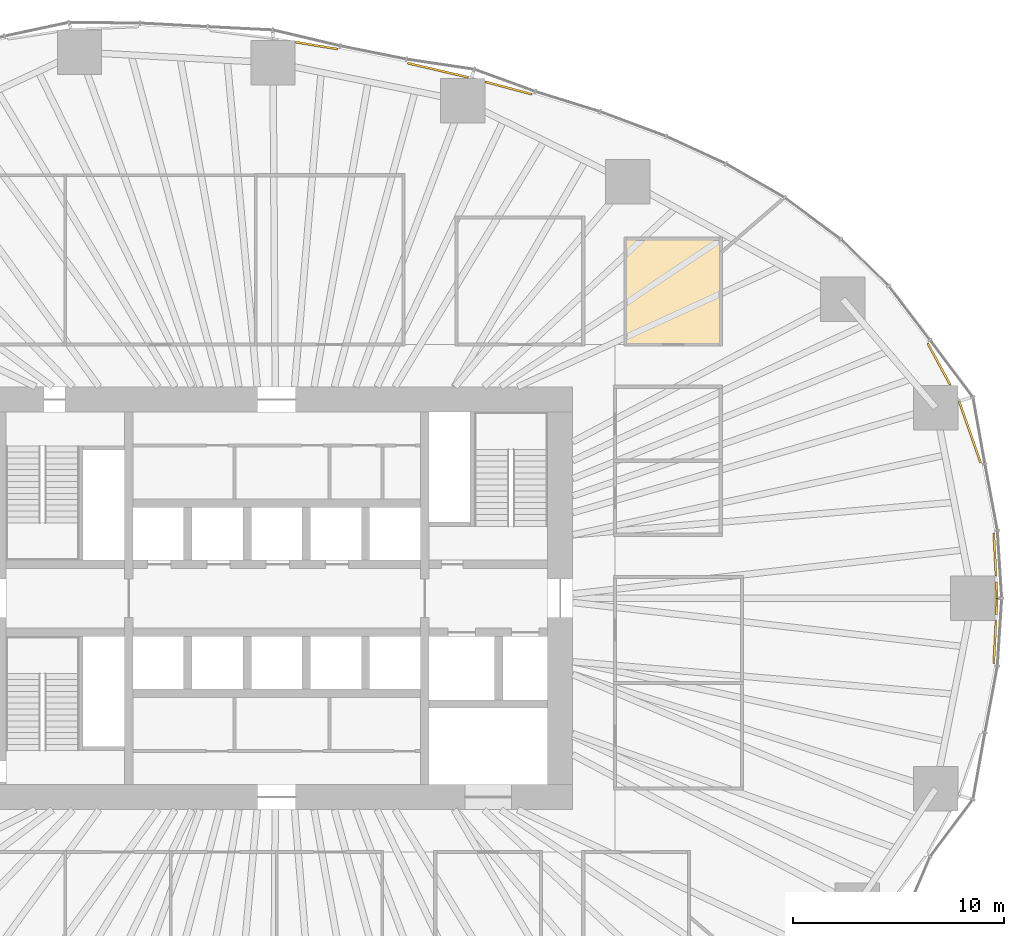
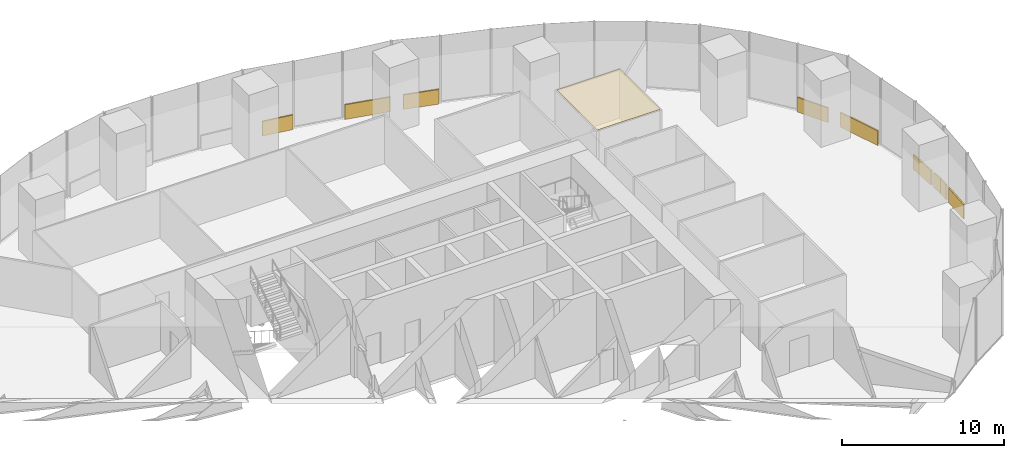
# One storey, part 20 of 20: 10 coverings.
"""IFC4 building model written with IfcOpenShell, lengths in metres."""

from ifc_helpers import new_model, si_unit, direction, frame, origin, origin_2d, place, context, subcontext, project, spatial, polyline, rectangle, outline, extrude, material, layer, layer_set, type_object, element, save


model = new_model("IFC4")

# Units and contexts
model_context = context("Model", 3, precision=1e-05, world=origin(), true_north=direction((0.0, 1.0)))
body_context = subcontext(model_context, "Body", "Model", "MODEL_VIEW")
ifc_project = project(units=[si_unit("LENGTHUNIT", "METRE"), si_unit("AREAUNIT", "SQUARE_METRE"), si_unit("VOLUMEUNIT", "CUBIC_METRE"), si_unit("PLANEANGLEUNIT", "RADIAN"), si_unit("MASSUNIT", "GRAM", prefix="KILO")], contexts=[model_context])

# Site, building, storey
site_placement = place(None, origin())
site = spatial("IfcSite", under=ifc_project, at=site_placement, CompositionType="ELEMENT")
building_placement = place(site_placement, origin())
building = spatial("IfcBuilding", under=site, at=building_placement, Name="Ghaith Harvest Tower", CompositionType="ELEMENT")
storey_placement = place(building_placement, frame((0.0, 0.0, 25.0)))
storey = spatial("IfcBuildingStorey", under=building, at=storey_placement, Name="L05", CompositionType="ELEMENT", Elevation=25.0)

# Coverings
ifc_material_1 = material(Name="Mineral fibre ceiling tile", Category="gypsum")
ifc_layer_1 = layer(ifc_material_1, 0.02490234375)
ifc_layer_set_1 = layer_set([ifc_layer_1], Name="CEILING C2")
covering_type_1 = type_object("IfcCoveringType", Name="CEILING C2", PredefinedType="CEILING", material=ifc_layer_set_1)
covering_1_placement = place(storey_placement, frame((0.0, 0.0, 3.60009765625)))
element("IfcCovering", 1, at=covering_1_placement, inside=storey, type_object=covering_type_1, Name="Ceiling L05-14", PredefinedType="CEILING", context=body_context, shape_type="SweptSolid", body=[
    extrude(outline(polyline([(16.5, 12.0), (21.0, 12.0), (21.0, 17.0), (16.5, 17.0), (16.5, 12.0)])), origin(), (0.0, 0.0, 1.0), 0.02490234375),
])
ifc_material_2 = material(Name="Insulated aluminium spandrel panel on steel framing", Category="steel")
ifc_layer_2 = layer(ifc_material_2, 0.10009765625)
ifc_layer_set_2 = layer_set([ifc_layer_2], Name="SLAB EDGE UPSTAND 1100x100")
covering_type_2 = type_object("IfcCoveringType", Name="SLAB EDGE UPSTAND 1100x100", PredefinedType="CLADDING", material=ifc_layer_set_2)
covering_2_placement = place(storey_placement, frame((34.054931640625, 0.38232421875, 0.0), z_axis=(0.0, 0.0, 1.0), x_axis=(-0.052048501689, 0.998644558125, 0.0)))
element("IfcCovering", 2, at=covering_2_placement, inside=storey, type_object=covering_type_2, Name="Slab edge upstand 1 bay 01 L05", PredefinedType="CLADDING", context=body_context, shape_type="SweptSolid", body=[
    extrude(rectangle(XDim=0.77099609375, YDim=0.10009765625, at=origin_2d()), origin(), (0.0, 0.0, 1.0), 1.10009765625),
])
covering_3_placement = place(storey_placement, frame((33.966796875, 2.0771484375, 0.0), z_axis=(0.0, 0.0, 1.0), x_axis=(-0.052048501689, 0.998644558125, 0.0)))
element("IfcCovering", 3, at=covering_3_placement, inside=storey, type_object=covering_type_2, Name="Slab edge upstand 1 bay 01 L05", PredefinedType="CLADDING", context=body_context, shape_type="SweptSolid", body=[
    extrude(rectangle(XDim=2.03173828125, YDim=0.10009765625, at=origin_2d()), origin(), (0.0, 0.0, 1.0), 1.10009765625),
])
covering_4_placement = place(storey_placement, frame((32.7822265625, 7.865234375, 0.0), z_axis=(0.0, 0.0, 1.0), x_axis=(-0.330597697022, 0.943771774702, 0.0)))
element("IfcCovering", 4, at=covering_4_placement, inside=storey, type_object=covering_type_2, Name="Slab edge upstand 3 bay 01 L05", PredefinedType="CLADDING", context=body_context, shape_type="SweptSolid", body=[
    extrude(rectangle(XDim=3.080078125, YDim=0.10009765625, at=origin_2d()), origin(), (0.0, 0.0, 1.0), 1.10009765625),
])
covering_5_placement = place(storey_placement, frame((31.32177734375, 11.075439453125, 0.0), z_axis=(0.0, 0.0, 1.0), x_axis=(-0.476349292539, 0.87925613532, 0.0)))
element("IfcCovering", 5, at=covering_5_placement, inside=storey, type_object=covering_type_2, Name="Slab edge upstand 1 bay 02 L05", PredefinedType="CLADDING", context=body_context, shape_type="SweptSolid", body=[
    extrude(rectangle(XDim=2.237548828125, YDim=0.10009765625, at=origin_2d()), origin(), (0.0, 0.0, 1.0), 1.10009765625),
])
covering_6_placement = place(storey_placement, frame((10.968994140625, 24.1298828125, 0.0), z_axis=(0.0, 0.0, 1.0), x_axis=(-0.9660243418, 0.258451099919, 0.0)))
element("IfcCovering", 6, at=covering_6_placement, inside=storey, type_object=covering_type_2, Name="Slab edge upstand 3 bay 04 L05", PredefinedType="CLADDING", context=body_context, shape_type="SweptSolid", body=[
    extrude(rectangle(XDim=2.27978515625, YDim=0.10009765625, at=origin_2d()), origin(), (0.0, 0.0, 1.0), 1.10009765625),
])
covering_7_placement = place(storey_placement, frame((7.627685546875, 24.971435546875, 0.0), z_axis=(0.0, 0.0, 1.0), x_axis=(-0.973634089594, 0.228115452305, 0.0)))
element("IfcCovering", 7, at=covering_7_placement, inside=storey, type_object=covering_type_2, Name="Slab edge upstand 1 bay 05 L05", PredefinedType="CLADDING", context=body_context, shape_type="SweptSolid", body=[
    extrude(rectangle(XDim=2.943359375, YDim=0.10009765625, at=origin_2d()), origin(), (0.0, 0.0, 1.0), 1.10009765625),
])
covering_8_placement = place(storey_placement, frame((1.891845703125, 26.135009765625, 0.0), z_axis=(0.0, 0.0, 1.0), x_axis=(-0.986716247541, 0.162453214305, 0.0)))
element("IfcCovering", 8, at=covering_8_placement, inside=storey, type_object=covering_type_2, Name="Slab edge upstand 3 bay 05 L05", PredefinedType="CLADDING", context=body_context, shape_type="SweptSolid", body=[
    extrude(rectangle(XDim=2.0205078125, YDim=0.10009765625, at=origin_2d()), origin(), (0.0, 0.0, 1.0), 1.10009765625),
])
covering_9_placement = place(storey_placement, frame((33.966796875, -2.0771484375, 0.0), z_axis=(0.0, 0.0, 1.0), x_axis=(0.052048501794, 0.998644558119, 0.0)))
element("IfcCovering", 9, at=covering_9_placement, inside=storey, type_object=covering_type_2, Name="Slab edge upstand 3 bay 20 L05", PredefinedType="CLADDING", context=body_context, shape_type="SweptSolid", body=[
    extrude(rectangle(XDim=2.03173828125, YDim=0.10009765625, at=origin_2d()), origin(), (0.0, 0.0, 1.0), 1.10009765625),
])
covering_10_placement = place(storey_placement, frame((34.054931640625, -0.38232421875, 0.0), z_axis=(0.0, 0.0, 1.0), x_axis=(0.052048501794, 0.998644558119, 0.0)))
element("IfcCovering", 10, at=covering_10_placement, inside=storey, type_object=covering_type_2, Name="Slab edge upstand 3 bay 20 L05", PredefinedType="CLADDING", context=body_context, shape_type="SweptSolid", body=[
    extrude(rectangle(XDim=0.77099609375, YDim=0.10009765625, at=origin_2d()), origin(), (0.0, 0.0, 1.0), 1.10009765625),
])

save(model, "model.ifc")
